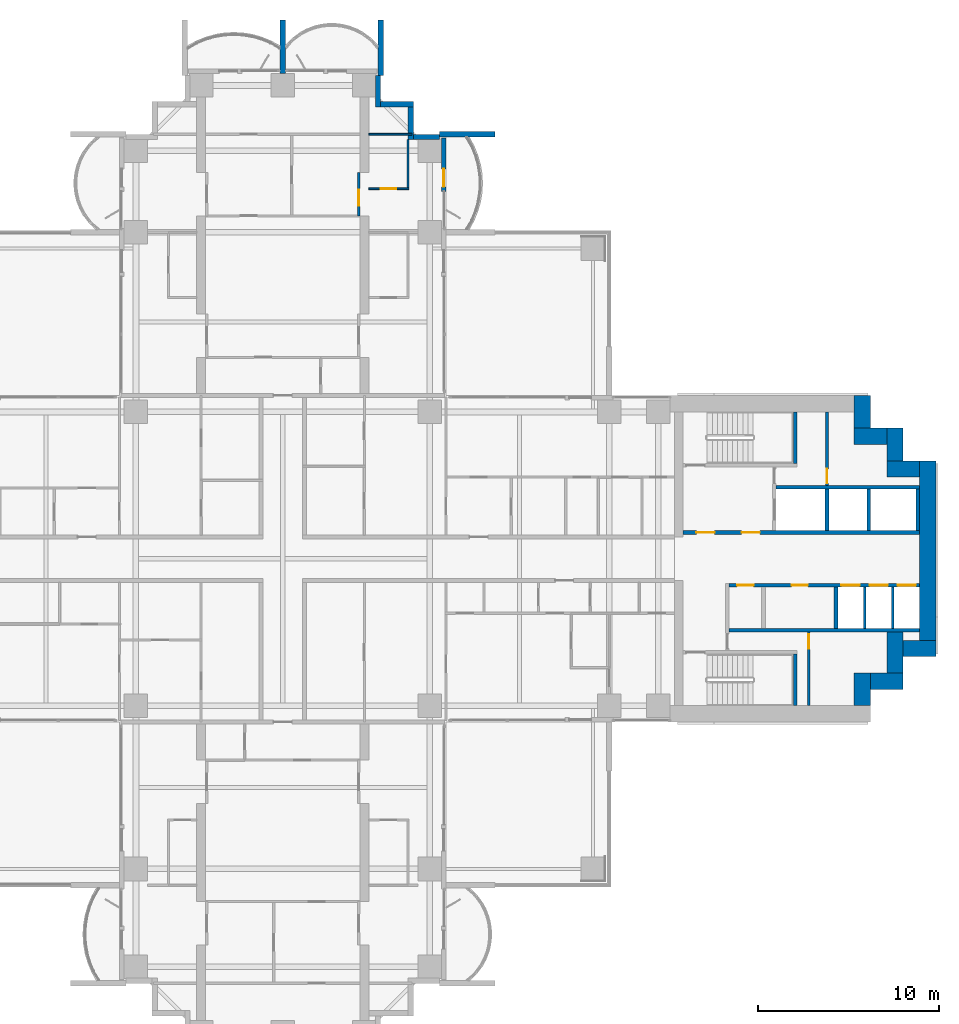
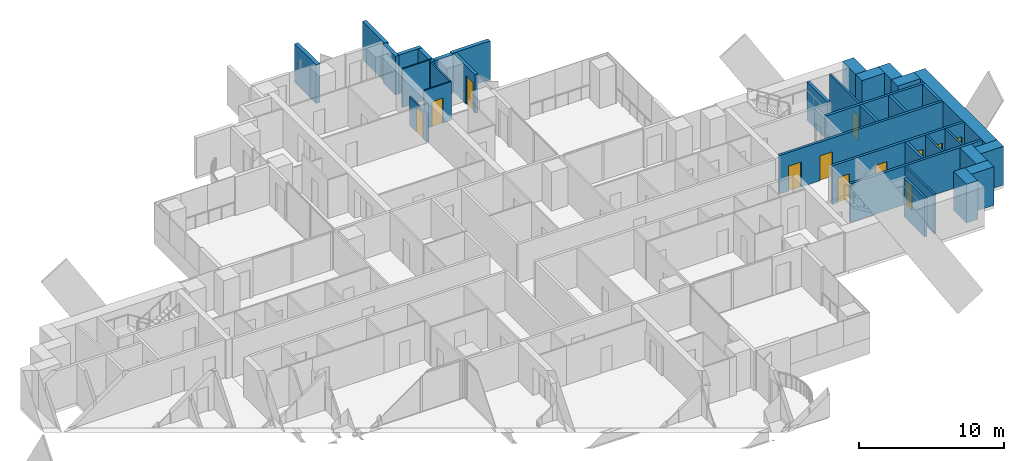
# One storey, part 17 of 23: 35 walls, 12 doors, 12 openings.
"""IFC4 building model written with IfcOpenShell, lengths in metres."""

from ifc_helpers import new_model, si_unit, direction, frame, frame_2d, origin, place, context, subcontext, project, spatial, rectangle, extrude, material, layer, layer_set, type_object, element, fill, save


model = new_model("IFC4")

# Units and contexts
model_context = context("Model", 3, precision=1e-05, world=origin(), true_north=direction((0.0, 1.0)))
body_context = subcontext(model_context, "Body", "Model", "MODEL_VIEW")
ifc_project = project(units=[si_unit("LENGTHUNIT", "METRE"), si_unit("AREAUNIT", "SQUARE_METRE"), si_unit("VOLUMEUNIT", "CUBIC_METRE"), si_unit("PLANEANGLEUNIT", "RADIAN"), si_unit("MASSUNIT", "GRAM", prefix="KILO")], contexts=[model_context])

# Site, building, storey
site_placement = place(None, origin())
site = spatial("IfcSite", under=ifc_project, at=site_placement, CompositionType="ELEMENT")
building_placement = place(site_placement, origin())
building = spatial("IfcBuilding", under=site, at=building_placement, Name="Perihelion Cross Residences", CompositionType="ELEMENT")
storey_placement = place(building_placement, frame((0.0, 0.0, 61.0)))
storey = spatial("IfcBuildingStorey", under=building, at=storey_placement, Name="L12", CompositionType="ELEMENT", Elevation=61.0)

# Wall, opening, door
ifc_material_1 = material(Name="Concrete C30/37, bronze-clad", Category="concrete")
ifc_layer_1 = layer(ifc_material_1, 0.25)
ifc_layer_set_1 = layer_set([ifc_layer_1], Name="Bronze-clad pier wall 250")
wall_type_1 = type_object("IfcWallType", Name="Bronze-clad pier wall 250", PredefinedType="SOLIDWALL", material=ifc_layer_set_1)
wall_1_placement = place(storey_placement, frame((8.875, 20.25, 0.0), z_axis=(0.0, 0.0, 1.0), x_axis=(0.0, 1.0, 0.0)))
wall_1 = element("IfcWall", 1, at=wall_1_placement, inside=storey, type_object=wall_type_1, Name="Wall FW1 L12 north side east bay 2 pier", PredefinedType="SOLIDWALL", context=body_context, shape_type="SweptSolid", body=[
    extrude(rectangle(XDim=2.949951171875, YDim=0.25, at=frame_2d((1.47509765625, 0.0))), origin(), (0.0, 0.0, 1.0), 3.25),
])
opening_1_placement = place(wall_1_placement, frame((0.25, 0.0, 0.0)))
opening_1 = element("IfcOpeningElement", 2, at=opening_1_placement, cuts=wall_1, Name="Opening L12.E03", PredefinedType="OPENING", context=body_context, shape_type="SweptSolid", body=[
    extrude(rectangle(XDim=1.0, YDim=2.39990234375, at=frame_2d((0.5, 1.199951171875))), frame((0.0, 0.135009765625, 0.0), z_axis=(0.0, -1.0, 0.0), x_axis=(1.0, 0.0, 0.0)), (0.0, 0.0, 1.0), 0.27001953125),
])
ifc_material_2 = material(Name="Bronze anodised aluminium, glazed", Category="aluminium")
door_type_1 = type_object("IfcDoorType", Name="Balcony door 1000 x 2400", OperationType="NOTDEFINED", PredefinedType="DOOR", material=ifc_material_2)
door_1_placement = place(opening_1_placement, origin())
door_1 = element("IfcDoor", 3, at=door_1_placement, inside=storey, type_object=door_type_1, Name="Door L12.E03 north side east bay 2", OperationType="SINGLE_SWING_RIGHT", OverallHeight=2.39990234375, OverallWidth=1.0, PredefinedType="DOOR", context=body_context, shape_type="SweptSolid", body=[
    extrude(rectangle(XDim=1.0, YDim=2.39990234375, at=frame_2d((0.5, 1.199951171875))), frame((0.0, 0.02490234375, 0.0), z_axis=(0.0, -1.0, 0.0), x_axis=(1.0, 0.0, 0.0)), (0.0, 0.0, 1.0), 0.050048828125),
])
fill(opening_1, door_1)

# Walls
ifc_material_3 = material(Name="Concrete C30/37, bronze-clad", Category="concrete")
ifc_layer_2 = layer(ifc_material_3, 0.300048828125)
ifc_layer_set_2 = layer_set([ifc_layer_2], Name="Bronze-clad serration wall 300")
wall_type_2 = type_object("IfcWallType", Name="Bronze-clad serration wall 300", PredefinedType="SOLIDWALL", material=ifc_layer_set_2)
wall_2_placement = place(storey_placement, frame((8.64990234375, 23.25, 0.0), z_axis=(0.0, 0.0, 1.0), x_axis=(-1.0, 0.0, 0.0)))
element("IfcWall", 4, at=wall_2_placement, inside=storey, type_object=wall_type_2, Name="Wall SR1 L12 north corner north-east 1", PredefinedType="SOLIDWALL", context=body_context, shape_type="SweptSolid", body=[
    extrude(rectangle(XDim=1.449951171875, YDim=0.300048828125, at=frame_2d((0.72509765625, 0.0))), origin(), (0.0, 0.0, 1.0), 3.25),
])
wall_3_placement = place(storey_placement, frame((7.050048828125, 23.10009765625, 0.0), z_axis=(0.0, 0.0, 1.0), x_axis=(0.0, 1.0, 0.0)))
element("IfcWall", 5, at=wall_3_placement, inside=storey, type_object=wall_type_2, Name="Wall SR1 L12 north corner north-east 2", PredefinedType="SOLIDWALL", context=body_context, shape_type="SweptSolid", body=[
    extrude(rectangle(XDim=1.7998046875, YDim=0.300048828125, at=frame_2d((0.89990234375, 0.0))), origin(), (0.0, 0.0, 1.0), 3.25),
])
wall_4_placement = place(storey_placement, frame((7.199951171875, 25.050048828125, 0.0), z_axis=(0.0, 0.0, 1.0), x_axis=(-1.0, 0.0, 0.0)))
element("IfcWall", 6, at=wall_4_placement, inside=storey, type_object=wall_type_2, Name="Wall SR1 L12 north corner north-east 3", PredefinedType="SOLIDWALL", context=body_context, shape_type="SweptSolid", body=[
    extrude(rectangle(XDim=1.800048828125, YDim=0.300048828125, at=frame_2d((0.89990234375, 0.0))), origin(), (0.0, 0.0, 1.0), 3.25),
])
wall_5_placement = place(storey_placement, frame((5.25, 24.89990234375, 0.0), z_axis=(0.0, 0.0, 1.0), x_axis=(0.0, 1.0, 0.0)))
element("IfcWall", 7, at=wall_5_placement, inside=storey, type_object=wall_type_2, Name="Wall SR1 L12 north corner north-east 4", PredefinedType="SOLIDWALL", context=body_context, shape_type="SweptSolid", body=[
    extrude(rectangle(XDim=1.75, YDim=0.300048828125, at=frame_2d((0.875, 0.0))), origin(), (0.0, 0.0, 1.0), 3.25),
])
ifc_material_4 = material(Name="Concrete C60/75", Category="concrete")
ifc_layer_3 = layer(ifc_material_4, 0.89990234375)
ifc_layer_set_3 = layer_set([ifc_layer_3], Name="Core wall, outer 900")
wall_type_3 = type_object("IfcWallType", Name="Core wall, outer 900", PredefinedType="SHEAR", material=ifc_layer_set_3)
for number, where, z_axis, x_axis, name in (
    (8, (31.949951171875, -8.10009765625, 0.0), (0.0, 0.0, 1.0), (0.0, 1.0, 0.0), "East core core wall, outer"),
    (9, (32.39990234375, -6.75, 0.0), (0.0, 0.0, 1.0), (1.0, 0.0, 0.0), "East core core wall, outer"),
):
    element("IfcWall", number, at=place(storey_placement, frame(where, z_axis=z_axis, x_axis=x_axis)), inside=storey, type_object=wall_type_3, Name=name, PredefinedType="SHEAR", context=body_context, shape_type="SweptSolid", body=[
        extrude(rectangle(XDim=1.800048828125, YDim=0.89990234375, at=frame_2d((0.89990234375, 0.0))), origin(), (0.0, 0.0, 1.0), 3.25),
    ])
wall_6_placement = place(storey_placement, frame((33.75, -6.300048828125, 0.0), z_axis=(0.0, 0.0, 1.0), x_axis=(0.0, 1.0, 0.0)))
element("IfcWall", 10, at=wall_6_placement, inside=storey, type_object=wall_type_3, Name="East core core wall, outer", PredefinedType="SHEAR", context=body_context, shape_type="SweptSolid", body=[
    extrude(rectangle(XDim=2.25, YDim=0.89990234375, at=frame_2d((1.125, 0.0))), origin(), (0.0, 0.0, 1.0), 3.25),
])
wall_7_placement = place(storey_placement, frame((34.199951171875, -4.949951171875, 0.0), z_axis=(0.0, 0.0, 1.0), x_axis=(1.0, 0.0, 0.0)))
element("IfcWall", 11, at=wall_7_placement, inside=storey, type_object=wall_type_3, Name="East core core wall, outer", PredefinedType="SHEAR", context=body_context, shape_type="SweptSolid", body=[
    extrude(rectangle(XDim=1.800048828125, YDim=0.89990234375, at=frame_2d((0.89990234375, 0.0))), origin(), (0.0, 0.0, 1.0), 3.25),
])
wall_8_placement = place(storey_placement, frame((35.550048828125, -4.5, 0.0), z_axis=(0.0, 0.0, 1.0), x_axis=(0.0, 1.0, 0.0)))
element("IfcWall", 12, at=wall_8_placement, inside=storey, type_object=wall_type_3, Name="East core core wall, outer", PredefinedType="SHEAR", context=body_context, shape_type="SweptSolid", body=[
    extrude(rectangle(XDim=9.89990234375, YDim=0.89990234375, at=frame_2d((4.949951171875, 0.0))), origin(), (0.0, 0.0, 1.0), 3.25),
])
for number, where, z_axis, x_axis, name in (
    (13, (33.300048828125, 4.949951171875, 0.0), (0.0, 0.0, 1.0), (1.0, 0.0, 0.0), "East core core wall, outer"),
    (14, (33.75, 5.39990234375, 0.0), (0.0, 0.0, 1.0), (0.0, 1.0, 0.0), "East core core wall, outer"),
    (15, (31.5, 6.75, 0.0), (0.0, 0.0, 1.0), (1.0, 0.0, 0.0), "East core core wall, outer"),
    (16, (31.949951171875, 7.199951171875, 0.0), (0.0, 0.0, 1.0), (0.0, 1.0, 0.0), "East core core wall, outer"),
):
    element("IfcWall", number, at=place(storey_placement, frame(where, z_axis=z_axis, x_axis=x_axis)), inside=storey, type_object=wall_type_3, Name=name, PredefinedType="SHEAR", context=body_context, shape_type="SweptSolid", body=[
        extrude(rectangle(XDim=1.800048828125, YDim=0.89990234375, at=frame_2d((0.89990234375, 0.0))), origin(), (0.0, 0.0, 1.0), 3.25),
    ])

# Wall, opening, door
ifc_material_5 = material(Name="Plasterboard partition")
ifc_layer_4 = layer(ifc_material_5, 0.1201171875)
ifc_layer_set_4 = layer_set([ifc_layer_4], Name="Infill panel 120")
wall_type_4 = type_object("IfcWallType", Name="Infill panel 120", PredefinedType="PARTITIONING", material=ifc_layer_set_4)
wall_9_placement = place(storey_placement, frame((4.18994140625, 18.89990234375, 0.0), z_axis=(0.0, 0.0, 1.0), x_axis=(0.0, 1.0, 0.0)))
wall_9 = element("IfcWall", 17, at=wall_9_placement, inside=storey, type_object=wall_type_4, Name="Partition L12 WI02", PredefinedType="PARTITIONING", context=body_context, shape_type="SweptSolid", body=[
    extrude(rectangle(XDim=2.400146484375, YDim=0.1201171875, at=frame_2d((1.2001953125, 0.0))), origin(), (0.0, 0.0, 1.0), 2.39990234375),
])
opening_2_placement = place(wall_9_placement, frame((0.550048828125, 0.0, 0.0)))
opening_2 = element("IfcOpeningElement", 18, at=opening_2_placement, cuts=wall_9, Name="Opening L12.A58", PredefinedType="OPENING", context=body_context, shape_type="SweptSolid", body=[
    extrude(rectangle(XDim=0.89990234375, YDim=2.10009765625, at=frame_2d((0.449951171875, 1.050048828125))), frame((0.0, 0.070068359375, 0.0), z_axis=(0.0, -1.0, 0.0), x_axis=(1.0, 0.0, 0.0)), (0.0, 0.0, 1.0), 0.14013671875),
])
ifc_material_6 = material(Name="Timber door leaf", Category="wood")
door_type_2 = type_object("IfcDoorType", Name="Interior room door 900 x 2100", OperationType="SINGLE_SWING_LEFT", PredefinedType="DOOR", material=ifc_material_6)
door_2_placement = place(opening_2_placement, origin())
door_2 = element("IfcDoor", 19, at=door_2_placement, inside=storey, type_object=door_type_2, Name="Door L12.A58", OperationType="SINGLE_SWING_RIGHT", OverallHeight=2.10009765625, OverallWidth=0.89990234375, PredefinedType="DOOR", context=body_context, shape_type="SweptSolid", body=[
    extrude(rectangle(XDim=0.89990234375, YDim=2.10009765625, at=frame_2d((0.449951171875, 1.050048828125))), frame((0.0, 0.02490234375, 0.0), z_axis=(0.0, -1.0, 0.0), x_axis=(1.0, 0.0, 0.0)), (0.0, 0.0, 1.0), 0.050048828125),
])
fill(opening_2, door_2)

# Walls
ifc_material_7 = material(Name="Precast concrete C50/60", Category="concrete")
ifc_layer_5 = layer(ifc_material_7, 0.300048828125)
ifc_layer_set_5 = layer_set([ifc_layer_5], Name="Precast concrete C50/60 blade wall 300")
wall_type_5 = type_object("IfcWallType", Name="Precast concrete C50/60 blade wall 300", PredefinedType="SOLIDWALL", material=ifc_layer_set_5)
wall_10_placement = place(storey_placement, frame((0.0, 26.75, 0.0), z_axis=(0.0, 0.0, 1.0), x_axis=(0.0, 1.0, 0.0)))
element("IfcWall", 20, at=wall_10_placement, inside=storey, type_object=wall_type_5, Name="Wall BL1 L12 no. 10", PredefinedType="SOLIDWALL", context=body_context, shape_type="SweptSolid", body=[
    extrude(rectangle(XDim=2.949951171875, YDim=0.300048828125, at=frame_2d((1.47509765625, 0.0))), origin(), (0.0, 0.0, 1.0), 3.25),
])
for number, where, z_axis, x_axis, name in (
    (21, (5.39990234375, 26.64990234375, 0.0), (0.0, 0.0, 1.0), (0.0, 1.0, 0.0), "Wall BL1 L12 no. 14"),
    (22, (8.64990234375, 23.39990234375, 0.0), (0.0, 0.0, 1.0), (1.0, 0.0, 0.0), "Wall BL1 L12 no. 18"),
):
    element("IfcWall", number, at=place(storey_placement, frame(where, z_axis=z_axis, x_axis=x_axis)), inside=storey, type_object=wall_type_5, Name=name, PredefinedType="SOLIDWALL", context=body_context, shape_type="SweptSolid", body=[
        extrude(rectangle(XDim=3.050048828125, YDim=0.300048828125, at=frame_2d((1.52490234375, 0.0))), origin(), (0.0, 0.0, 1.0), 3.25),
    ])

# Wall, opening, door
ifc_material_8 = material(Name="Fire-rated board on steel stud", Category="steel")
ifc_layer_6 = layer(ifc_material_8, 0.14990234375)
ifc_layer_set_6 = layer_set([ifc_layer_6], Name="Riser wall 150")
wall_type_6 = type_object("IfcWallType", Name="Riser wall 150", PredefinedType="PARTITIONING", material=ifc_layer_set_6)
wall_11_placement = place(storey_placement, frame((30.0, 4.050048828125, 0.0), z_axis=(0.0, 0.0, 1.0), x_axis=(0.0, 1.0, 0.0)))
wall_11 = element("IfcWall", 23, at=wall_11_placement, inside=storey, type_object=wall_type_6, Name="East core riser wall", PredefinedType="PARTITIONING", context=body_context, shape_type="SweptSolid", body=[
    extrude(rectangle(XDim=4.050048828125, YDim=0.14990234375, at=frame_2d((2.02490234375, 0.0))), origin(), (0.0, 0.0, 1.0), 3.25),
])
opening_3_placement = place(wall_11_placement, frame((0.10009765625, 0.0, 0.0)))
opening_3 = element("IfcOpeningElement", 24, at=opening_3_placement, cuts=wall_11, Name="Opening L12.C14", PredefinedType="OPENING", context=body_context, shape_type="SweptSolid", body=[
    extrude(rectangle(XDim=0.800048828125, YDim=2.10009765625, at=frame_2d((0.39990234375, 1.050048828125))), frame((0.0, 0.0849609375, 0.0), z_axis=(0.0, -1.0, 0.0), x_axis=(1.0, 0.0, 0.0)), (0.0, 0.0, 1.0), 0.169921875),
])
ifc_material_9 = material(Name="Steel, powder coated", Category="steel")
door_type_3 = type_object("IfcDoorType", Name="Riser door 800", OperationType="SINGLE_SWING_LEFT", PredefinedType="DOOR", material=ifc_material_9)
door_3_placement = place(opening_3_placement, origin())
door_3 = element("IfcDoor", 25, at=door_3_placement, inside=storey, type_object=door_type_3, Name="East core riser door", OperationType="SINGLE_SWING_LEFT", OverallHeight=2.10009765625, OverallWidth=0.800048828125, PredefinedType="DOOR", context=body_context, shape_type="SweptSolid", body=[
    extrude(rectangle(XDim=0.800048828125, YDim=2.10009765625, at=frame_2d((0.39990234375, 1.050048828125))), frame((0.0, 0.02490234375, 0.0), z_axis=(0.0, -1.0, 0.0), x_axis=(1.0, 0.0, 0.0)), (0.0, 0.0, 1.0), 0.050048828125),
])
fill(opening_3, door_3)

wall_12_placement = place(storey_placement, frame((29.0, -8.10009765625, 0.0), z_axis=(0.0, 0.0, 1.0), x_axis=(0.0, 1.0, 0.0)))
wall_12 = element("IfcWall", 26, at=wall_12_placement, inside=storey, type_object=wall_type_6, Name="East core riser wall", PredefinedType="PARTITIONING", context=body_context, shape_type="SweptSolid", body=[
    extrude(rectangle(XDim=4.050048828125, YDim=0.14990234375, at=frame_2d((2.02490234375, 0.0))), origin(), (0.0, 0.0, 1.0), 3.25),
])
opening_4_placement = place(wall_12_placement, frame((3.14990234375, 0.0, 0.0)))
opening_4 = element("IfcOpeningElement", 27, at=opening_4_placement, cuts=wall_12, Name="Opening L12.C13", PredefinedType="OPENING", context=body_context, shape_type="SweptSolid", body=[
    extrude(rectangle(XDim=0.800048828125, YDim=2.10009765625, at=frame_2d((0.39990234375, 1.050048828125))), frame((0.0, 0.0849609375, 0.0), z_axis=(0.0, -1.0, 0.0), x_axis=(1.0, 0.0, 0.0)), (0.0, 0.0, 1.0), 0.169921875),
])
door_4_placement = place(opening_4_placement, origin())
door_4 = element("IfcDoor", 28, at=door_4_placement, inside=storey, type_object=door_type_3, Name="East core riser door", OperationType="SINGLE_SWING_LEFT", OverallHeight=2.10009765625, OverallWidth=0.800048828125, PredefinedType="DOOR", context=body_context, shape_type="SweptSolid", body=[
    extrude(rectangle(XDim=0.800048828125, YDim=2.10009765625, at=frame_2d((0.39990234375, 1.050048828125))), frame((0.0, 0.02490234375, 0.0), z_axis=(0.0, -1.0, 0.0), x_axis=(1.0, 0.0, 0.0)), (0.0, 0.0, 1.0), 0.050048828125),
])
fill(opening_4, door_4)

# Walls
ifc_material_10 = material(Name="Concrete C50/60", Category="concrete")
ifc_layer_7 = layer(ifc_material_10, 0.14990234375)
ifc_layer_set_7 = layer_set([ifc_layer_7], Name="Shaft wall 150")
wall_type_7 = type_object("IfcWallType", Name="Shaft wall 150", PredefinedType="SOLIDWALL", material=ifc_layer_set_7)
for number, where, z_axis, x_axis, name in (
    (29, (32.074951171875, -3.85009765625, 0.0), (0.0, 0.0, 1.0), (0.0, 1.0, 0.0), "East core shaft wall"),
    (30, (33.625, -3.85009765625, 0.0), (0.0, 0.0, 1.0), (0.0, 1.0, 0.0), "East core shaft wall"),
):
    element("IfcWall", number, at=place(storey_placement, frame(where, z_axis=z_axis, x_axis=x_axis)), inside=storey, type_object=wall_type_7, Name=name, PredefinedType="SOLIDWALL", context=body_context, shape_type="SweptSolid", body=[
        extrude(rectangle(XDim=2.300048828125, YDim=0.14990234375, at=frame_2d((1.14990234375, 0.0))), origin(), (0.0, 0.0, 1.0), 3.25),
    ])

# Wall, openings, doors
ifc_material_11 = material(Name="Concrete C50/60", Category="concrete")
ifc_layer_8 = layer(ifc_material_11, 0.199951171875)
ifc_layer_set_8 = layer_set([ifc_layer_8], Name="Shaft wall 200")
wall_type_8 = type_object("IfcWallType", Name="Shaft wall 200", PredefinedType="SOLIDWALL", material=ifc_layer_set_8)
wall_13_placement = place(storey_placement, frame((22.050048828125, 1.449951171875, 0.0), z_axis=(0.0, 0.0, 1.0), x_axis=(1.0, 0.0, 0.0)))
wall_13 = element("IfcWall", 31, at=wall_13_placement, inside=storey, type_object=wall_type_8, Name="East core shaft wall", PredefinedType="SOLIDWALL", context=body_context, shape_type="SweptSolid", body=[
    extrude(rectangle(XDim=13.050048828125, YDim=0.199951171875, at=frame_2d((6.52490234375, 0.0))), origin(), (0.0, 0.0, 1.0), 3.25),
])
opening_5_placement = place(wall_13_placement, frame((0.75, 0.0, 0.0)))
opening_5 = element("IfcOpeningElement", 32, at=opening_5_placement, cuts=wall_13, Name="Opening L12.C07", PredefinedType="OPENING", context=body_context, shape_type="SweptSolid", body=[
    extrude(rectangle(XDim=1.0, YDim=2.10009765625, at=frame_2d((0.5, 1.050048828125))), frame((0.0, 0.10986328125, 0.0), z_axis=(0.0, -1.0, 0.0), x_axis=(1.0, 0.0, 0.0)), (0.0, 0.0, 1.0), 0.219970703125),
])
opening_6_placement = place(wall_13_placement, frame((3.25, 0.0, 0.0)))
opening_6 = element("IfcOpeningElement", 33, at=opening_6_placement, cuts=wall_13, Name="Opening L12.C10", PredefinedType="OPENING", context=body_context, shape_type="SweptSolid", body=[
    extrude(rectangle(XDim=1.0, YDim=2.10009765625, at=frame_2d((0.5, 1.050048828125))), frame((0.0, 0.10986328125, 0.0), z_axis=(0.0, -1.0, 0.0), x_axis=(1.0, 0.0, 0.0)), (0.0, 0.0, 1.0), 0.219970703125),
])
ifc_material_12 = material(Name="Steel, powder coated", Category="steel")
door_type_4 = type_object("IfcDoorType", Name="Lobby door 1000", OperationType="SINGLE_SWING_LEFT", PredefinedType="DOOR", material=ifc_material_12)
door_5_placement = place(opening_5_placement, origin())
door_5 = element("IfcDoor", 34, at=door_5_placement, inside=storey, type_object=door_type_4, Name="East core firefighting lobby door", OperationType="SINGLE_SWING_LEFT", OverallHeight=2.10009765625, OverallWidth=1.0, PredefinedType="DOOR", context=body_context, shape_type="SweptSolid", body=[
    extrude(rectangle(XDim=1.0, YDim=2.10009765625, at=frame_2d((0.5, 1.050048828125))), frame((0.0, 0.02490234375, 0.0), z_axis=(0.0, -1.0, 0.0), x_axis=(1.0, 0.0, 0.0)), (0.0, 0.0, 1.0), 0.050048828125),
])
fill(opening_5, door_5)
door_6_placement = place(opening_6_placement, origin())
door_6 = element("IfcDoor", 35, at=door_6_placement, inside=storey, type_object=door_type_4, Name="East core firefighting lobby door", OperationType="SINGLE_SWING_LEFT", OverallHeight=2.10009765625, OverallWidth=1.0, PredefinedType="DOOR", context=body_context, shape_type="SweptSolid", body=[
    extrude(rectangle(XDim=1.0, YDim=2.10009765625, at=frame_2d((0.5, 1.050048828125))), frame((0.0, 0.02490234375, 0.0), z_axis=(0.0, -1.0, 0.0), x_axis=(1.0, 0.0, 0.0)), (0.0, 0.0, 1.0), 0.050048828125),
])
fill(opening_6, door_6)

wall_14_placement = place(storey_placement, frame((24.60009765625, -1.449951171875, 0.0), z_axis=(0.0, 0.0, 1.0), x_axis=(1.0, 0.0, 0.0)))
wall_14 = element("IfcWall", 36, at=wall_14_placement, inside=storey, type_object=wall_type_8, Name="East core shaft wall", PredefinedType="SOLIDWALL", context=body_context, shape_type="SweptSolid", body=[
    extrude(rectangle(XDim=10.5, YDim=0.199951171875, at=frame_2d((5.25, 0.0))), origin(), (0.0, 0.0, 1.0), 3.25),
])
opening_7_placement = place(wall_14_placement, frame((6.199951171875, 0.0, 0.0)))
opening_7 = element("IfcOpeningElement", 37, at=opening_7_placement, cuts=wall_14, Name="Opening L12.C02", PredefinedType="OPENING", context=body_context, shape_type="SweptSolid", body=[
    extrude(rectangle(XDim=1.0, YDim=2.10009765625, at=frame_2d((0.5, 1.050048828125))), frame((0.0, 0.10986328125, 0.0), z_axis=(0.0, -1.0, 0.0), x_axis=(1.0, 0.0, 0.0)), (0.0, 0.0, 1.0), 0.219970703125),
])
opening_8_placement = place(wall_14_placement, frame((7.75, 0.0, 0.0)))
opening_8 = element("IfcOpeningElement", 38, at=opening_8_placement, cuts=wall_14, Name="Opening L12.C03", PredefinedType="OPENING", context=body_context, shape_type="SweptSolid", body=[
    extrude(rectangle(XDim=1.0, YDim=2.10009765625, at=frame_2d((0.5, 1.050048828125))), frame((0.0, 0.10986328125, 0.0), z_axis=(0.0, -1.0, 0.0), x_axis=(1.0, 0.0, 0.0)), (0.0, 0.0, 1.0), 0.219970703125),
])
opening_9_placement = place(wall_14_placement, frame((9.300048828125, 0.0, 0.0)))
opening_9 = element("IfcOpeningElement", 39, at=opening_9_placement, cuts=wall_14, Name="Opening L12.C04", PredefinedType="OPENING", context=body_context, shape_type="SweptSolid", body=[
    extrude(rectangle(XDim=1.0, YDim=2.10009765625, at=frame_2d((0.5, 1.050048828125))), frame((0.0, 0.10986328125, 0.0), z_axis=(0.0, -1.0, 0.0), x_axis=(1.0, 0.0, 0.0)), (0.0, 0.0, 1.0), 0.219970703125),
])
opening_10_placement = place(wall_14_placement, frame((0.449951171875, 0.0, 0.0)))
opening_10 = element("IfcOpeningElement", 40, at=opening_10_placement, cuts=wall_14, Name="Opening L12.C09", PredefinedType="OPENING", context=body_context, shape_type="SweptSolid", body=[
    extrude(rectangle(XDim=0.89990234375, YDim=2.10009765625, at=frame_2d((0.449951171875, 1.050048828125))), frame((0.0, 0.10986328125, 0.0), z_axis=(0.0, -1.0, 0.0), x_axis=(1.0, 0.0, 0.0)), (0.0, 0.0, 1.0), 0.219970703125),
])
opening_11_placement = place(wall_14_placement, frame((3.449951171875, 0.0, 0.0)))
opening_11 = element("IfcOpeningElement", 41, at=opening_11_placement, cuts=wall_14, Name="Opening L12.C12", PredefinedType="OPENING", context=body_context, shape_type="SweptSolid", body=[
    extrude(rectangle(XDim=0.89990234375, YDim=2.10009765625, at=frame_2d((0.449951171875, 1.050048828125))), frame((0.0, 0.10986328125, 0.0), z_axis=(0.0, -1.0, 0.0), x_axis=(1.0, 0.0, 0.0)), (0.0, 0.0, 1.0), 0.219970703125),
])
ifc_material_13 = material(Name="Stainless steel", Category="steel")
door_type_5 = type_object("IfcDoorType", Name="Landing door 1000", OperationType="DOUBLE_DOOR_SLIDING", PredefinedType="DOOR", material=ifc_material_13)
door_7_placement = place(opening_7_placement, origin())
door_7 = element("IfcDoor", 42, at=door_7_placement, inside=storey, type_object=door_type_5, Name="Landing door, East core low-rise lift 1", OperationType="DOUBLE_DOOR_SLIDING", OverallHeight=2.10009765625, OverallWidth=1.0, PredefinedType="DOOR", context=body_context, shape_type="SweptSolid", body=[
    extrude(rectangle(XDim=1.0, YDim=2.10009765625, at=frame_2d((0.5, 1.050048828125))), frame((0.0, 0.02490234375, 0.0), z_axis=(0.0, -1.0, 0.0), x_axis=(1.0, 0.0, 0.0)), (0.0, 0.0, 1.0), 0.050048828125),
])
fill(opening_7, door_7)
door_8_placement = place(opening_8_placement, origin())
door_8 = element("IfcDoor", 43, at=door_8_placement, inside=storey, type_object=door_type_5, Name="Landing door, East core low-rise lift 2", OperationType="DOUBLE_DOOR_SLIDING", OverallHeight=2.10009765625, OverallWidth=1.0, PredefinedType="DOOR", context=body_context, shape_type="SweptSolid", body=[
    extrude(rectangle(XDim=1.0, YDim=2.10009765625, at=frame_2d((0.5, 1.050048828125))), frame((0.0, 0.02490234375, 0.0), z_axis=(0.0, -1.0, 0.0), x_axis=(1.0, 0.0, 0.0)), (0.0, 0.0, 1.0), 0.050048828125),
])
fill(opening_8, door_8)
door_9_placement = place(opening_9_placement, origin())
door_9 = element("IfcDoor", 44, at=door_9_placement, inside=storey, type_object=door_type_5, Name="Landing door, East core low-rise lift 3", OperationType="DOUBLE_DOOR_SLIDING", OverallHeight=2.10009765625, OverallWidth=1.0, PredefinedType="DOOR", context=body_context, shape_type="SweptSolid", body=[
    extrude(rectangle(XDim=1.0, YDim=2.10009765625, at=frame_2d((0.5, 1.050048828125))), frame((0.0, 0.02490234375, 0.0), z_axis=(0.0, -1.0, 0.0), x_axis=(1.0, 0.0, 0.0)), (0.0, 0.0, 1.0), 0.050048828125),
])
fill(opening_9, door_9)
ifc_material_14 = material(Name="Steel, powder coated", Category="steel")
door_type_6 = type_object("IfcDoorType", Name="Service room door 900", OperationType="SINGLE_SWING_LEFT", PredefinedType="DOOR", material=ifc_material_14)
door_10_placement = place(opening_10_placement, origin())
door_10 = element("IfcDoor", 45, at=door_10_placement, inside=storey, type_object=door_type_6, Name="East core service room door", OperationType="SINGLE_SWING_LEFT", OverallHeight=2.10009765625, OverallWidth=0.89990234375, PredefinedType="DOOR", context=body_context, shape_type="SweptSolid", body=[
    extrude(rectangle(XDim=0.89990234375, YDim=2.10009765625, at=frame_2d((0.449951171875, 1.050048828125))), frame((0.0, 0.02490234375, 0.0), z_axis=(0.0, -1.0, 0.0), x_axis=(1.0, 0.0, 0.0)), (0.0, 0.0, 1.0), 0.050048828125),
])
fill(opening_10, door_10)
door_11_placement = place(opening_11_placement, origin())
door_11 = element("IfcDoor", 46, at=door_11_placement, inside=storey, type_object=door_type_6, Name="East core service room door", OperationType="SINGLE_SWING_LEFT", OverallHeight=2.10009765625, OverallWidth=0.89990234375, PredefinedType="DOOR", context=body_context, shape_type="SweptSolid", body=[
    extrude(rectangle(XDim=0.89990234375, YDim=2.10009765625, at=frame_2d((0.449951171875, 1.050048828125))), frame((0.0, 0.02490234375, 0.0), z_axis=(0.0, -1.0, 0.0), x_axis=(1.0, 0.0, 0.0)), (0.0, 0.0, 1.0), 0.050048828125),
])
fill(opening_11, door_11)

# Walls
wall_15_placement = place(storey_placement, frame((27.199951171875, 3.949951171875, 0.0), z_axis=(0.0, 0.0, 1.0), x_axis=(1.0, 0.0, 0.0)))
element("IfcWall", 47, at=wall_15_placement, inside=storey, type_object=wall_type_8, Name="East core shaft wall", PredefinedType="SOLIDWALL", context=body_context, shape_type="SweptSolid", body=[
    extrude(rectangle(XDim=7.900146484375, YDim=0.199951171875, at=frame_2d((3.9501953125, 0.0))), origin(), (0.0, 0.0, 1.0), 3.25),
])
wall_16_placement = place(storey_placement, frame((24.60009765625, -3.949951171875, 0.0), z_axis=(0.0, 0.0, 1.0), x_axis=(1.0, 0.0, 0.0)))
element("IfcWall", 48, at=wall_16_placement, inside=storey, type_object=wall_type_8, Name="East core shaft wall", PredefinedType="SOLIDWALL", context=body_context, shape_type="SweptSolid", body=[
    extrude(rectangle(XDim=10.5, YDim=0.199951171875, at=frame_2d((5.25, 0.0))), origin(), (0.0, 0.0, 1.0), 3.25),
])
for number, where, z_axis, x_axis, name in (
    (49, (30.0, 1.550048828125, 0.0), (0.0, 0.0, 1.0), (0.0, 1.0, 0.0), "East core shaft wall"),
    (50, (32.300048828125, 1.550048828125, 0.0), (0.0, 0.0, 1.0), (0.0, 1.0, 0.0), "East core shaft wall"),
    (51, (35.0, 1.550048828125, 0.0), (0.0, 0.0, 1.0), (0.0, 1.0, 0.0), "East core shaft wall"),
    (52, (30.5, -3.85009765625, 0.0), (0.0, 0.0, 1.0), (0.0, 1.0, 0.0), "East core shaft wall"),
):
    element("IfcWall", number, at=place(storey_placement, frame(where, z_axis=z_axis, x_axis=x_axis)), inside=storey, type_object=wall_type_8, Name=name, PredefinedType="SOLIDWALL", context=body_context, shape_type="SweptSolid", body=[
        extrude(rectangle(XDim=2.300048828125, YDim=0.199951171875, at=frame_2d((1.14990234375, 0.0))), origin(), (0.0, 0.0, 1.0), 3.25),
    ])
ifc_material_15 = material(Name="Concrete C50/60", Category="concrete")
ifc_layer_9 = layer(ifc_material_15, 0.199951171875)
ifc_layer_set_9 = layer_set([ifc_layer_9], Name="Stair wall 200")
wall_type_9 = type_object("IfcWallType", Name="Stair wall 200", PredefinedType="SOLIDWALL", material=ifc_layer_set_9)
for number, where, z_axis, x_axis, name in (
    (53, (28.25, 5.25, 0.0), (0.0, 0.0, 1.0), (0.0, 1.0, 0.0), "East core stair wall"),
    (54, (28.25, -8.10009765625, 0.0), (0.0, 0.0, 1.0), (0.0, 1.0, 0.0), "East core stair wall"),
):
    element("IfcWall", number, at=place(storey_placement, frame(where, z_axis=z_axis, x_axis=x_axis)), inside=storey, type_object=wall_type_9, Name=name, PredefinedType="SOLIDWALL", context=body_context, shape_type="SweptSolid", body=[
        extrude(rectangle(XDim=2.85009765625, YDim=0.199951171875, at=frame_2d((1.425048828125, 0.0))), origin(), (0.0, 0.0, 1.0), 3.25),
    ])

# Wall, opening, door
ifc_material_16 = material(Name="Plasterboard partition")
ifc_layer_10 = layer(ifc_material_16, 0.10009765625)
ifc_layer_set_10 = layer_set([ifc_layer_10], Name="Wet room wall 100")
wall_type_10 = type_object("IfcWallType", Name="Wet room wall 100", PredefinedType="PARTITIONING", material=ifc_layer_set_10)
wall_17_placement = place(storey_placement, frame((4.75, 20.39990234375, 0.0), z_axis=(0.0, 0.0, 1.0), x_axis=(1.0, 0.0, 0.0)))
wall_17 = element("IfcWall", 55, at=wall_17_placement, inside=storey, type_object=wall_type_10, Name="Partition L12 W070", PredefinedType="PARTITIONING", context=body_context, shape_type="SweptSolid", body=[
    extrude(rectangle(XDim=2.199951171875, YDim=0.10009765625, at=frame_2d((1.10009765625, 0.0))), origin(), (0.0, 0.0, 1.0), 3.25),
])
opening_12_placement = place(wall_17_placement, frame((0.64990234375, 0.0, 0.0)))
opening_12 = element("IfcOpeningElement", 56, at=opening_12_placement, cuts=wall_17, Name="Opening L12.A43", PredefinedType="OPENING", context=body_context, shape_type="SweptSolid", body=[
    extrude(rectangle(XDim=0.85009765625, YDim=2.10009765625, at=frame_2d((0.425048828125, 1.050048828125))), frame((0.0, 0.06005859375, 0.0), z_axis=(0.0, -1.0, 0.0), x_axis=(1.0, 0.0, 0.0)), (0.0, 0.0, 1.0), 0.1201171875),
])
ifc_material_17 = material(Name="Timber door leaf", Category="wood")
door_type_7 = type_object("IfcDoorType", Name="Interior bathroom door 850 x 2100", OperationType="SINGLE_SWING_LEFT", PredefinedType="DOOR", material=ifc_material_17)
door_12_placement = place(opening_12_placement, origin())
door_12 = element("IfcDoor", 57, at=door_12_placement, inside=storey, type_object=door_type_7, Name="Door L12.A43", OperationType="SINGLE_SWING_LEFT", OverallHeight=2.10009765625, OverallWidth=0.85009765625, PredefinedType="DOOR", context=body_context, shape_type="SweptSolid", body=[
    extrude(rectangle(XDim=0.85009765625, YDim=2.10009765625, at=frame_2d((0.425048828125, 1.050048828125))), frame((0.0, 0.02490234375, 0.0), z_axis=(0.0, -1.0, 0.0), x_axis=(1.0, 0.0, 0.0)), (0.0, 0.0, 1.0), 0.050048828125),
])
fill(opening_12, door_12)

# Walls
wall_18_placement = place(storey_placement, frame((6.89990234375, 20.449951171875, 0.0), z_axis=(0.0, 0.0, 1.0), x_axis=(0.0, 1.0, 0.0)))
element("IfcWall", 58, at=wall_18_placement, inside=storey, type_object=wall_type_10, Name="Partition L12 W071", PredefinedType="PARTITIONING", context=body_context, shape_type="SweptSolid", body=[
    extrude(rectangle(XDim=2.650146484375, YDim=0.10009765625, at=frame_2d((1.3251953125, 0.0))), origin(), (0.0, 0.0, 1.0), 3.25),
])
wall_19_placement = place(storey_placement, frame((4.75, 23.39990234375, 0.0), z_axis=(0.0, 0.0, 1.0), x_axis=(1.0, 0.0, 0.0)))
element("IfcWall", 59, at=wall_19_placement, inside=storey, type_object=wall_type_10, Name="Partition L12 W072", PredefinedType="PARTITIONING", context=body_context, shape_type="SweptSolid", body=[
    extrude(rectangle(XDim=2.3701171875, YDim=0.10009765625, at=frame_2d((1.18505859375, 0.0))), origin(), (0.0, 0.0, 1.0), 3.25),
])

save(model, "model.ifc")
